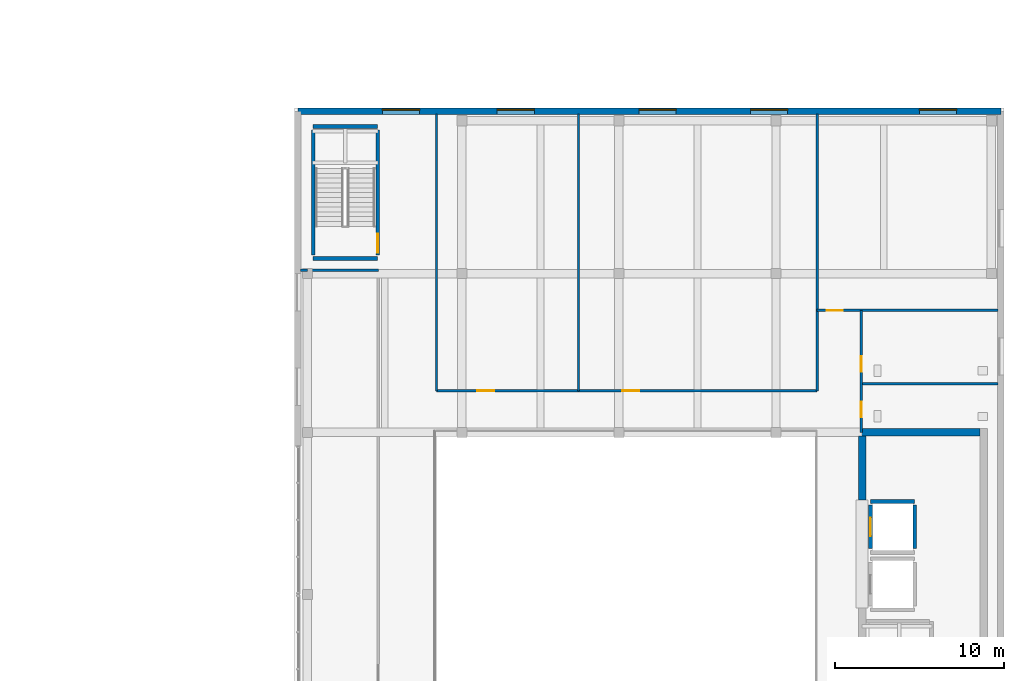
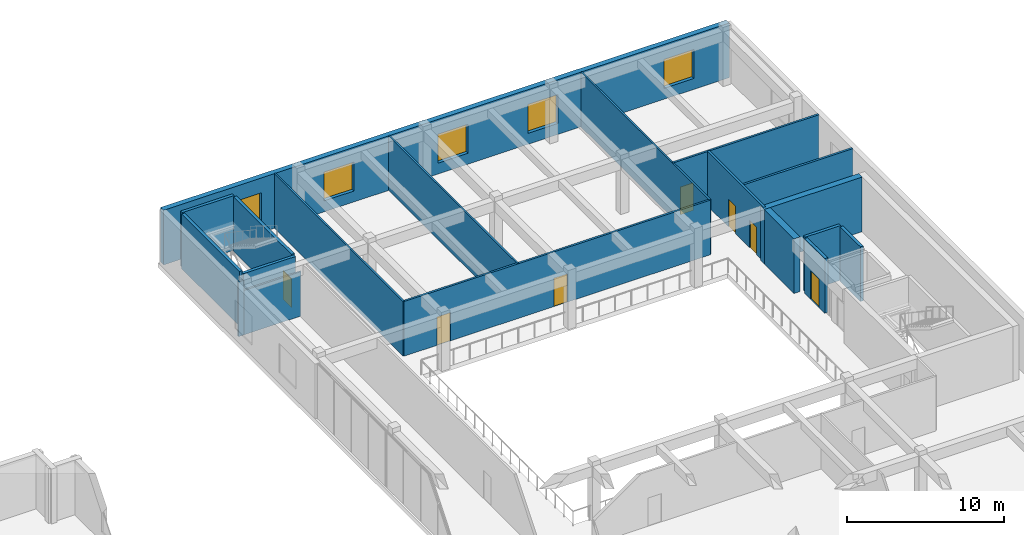
# One storey, part 11 of 24: 19 walls, 7 doors, 5 windows, 12 openings.
"""IFC4 building model written with IfcOpenShell, lengths in metres."""

from ifc_helpers import new_model, si_unit, direction, frame, frame_2d, origin, place, context, subcontext, project, spatial, rectangle, extrude, material, layer, layer_set, type_object, element, fill, save


model = new_model("IFC4")

# Units and contexts
model_context = context("Model", 3, precision=1e-05, world=origin(), true_north=direction((0.0, 1.0)))
body_context = subcontext(model_context, "Body", "Model", "MODEL_VIEW")
ifc_project = project(units=[si_unit("LENGTHUNIT", "METRE"), si_unit("AREAUNIT", "SQUARE_METRE"), si_unit("VOLUMEUNIT", "CUBIC_METRE"), si_unit("PLANEANGLEUNIT", "RADIAN"), si_unit("MASSUNIT", "GRAM", prefix="KILO")], contexts=[model_context])

# Site, building, storey
site_placement = place(None, origin())
site = spatial("IfcSite", under=ifc_project, at=site_placement, CompositionType="ELEMENT")
building_placement = place(site_placement, origin())
building = spatial("IfcBuilding", under=site, at=building_placement, Name="Norrvale University Quadrangle", CompositionType="ELEMENT")
storey_placement = place(building_placement, frame((0.0, 0.0, 10.39990234375)))
storey = spatial("IfcBuildingStorey", under=building, at=storey_placement, Name="L02", CompositionType="ELEMENT", Elevation=10.39990234375)

# Walls
ifc_material_1 = material(Name="Standard Academic Gypsum Partition")
ifc_layer_1 = layer(ifc_material_1, 0.125, Name="Standard Academic Gypsum Partition")
ifc_layer_set_1 = layer_set([ifc_layer_1], Name="Standard Academic Gypsum Partition")
wall_type_1 = type_object("IfcWallType", Name="Wall Gypsum Academic 125", PredefinedType="PARTITIONING", material=ifc_layer_set_1)
wall_1_placement = place(storey_placement, frame((85.550048828125, 48.0, 0.0), z_axis=(0.0, 0.0, 1.0), x_axis=(1.0, 0.0, 0.0)))
element("IfcWall", 1, at=wall_1_placement, inside=storey, type_object=wall_type_1, Name="Interior Partition WL-L02-LWN", PredefinedType="PARTITIONING", context=body_context, shape_type="SweptSolid", body=[
    extrude(rectangle(XDim=0.39990234375, YDim=0.125, at=frame_2d((0.199951171875, 0.0))), origin(), (0.0, 0.0, 1.0), 4.25),
])
wall_2_placement = place(storey_placement, frame((85.949951171875, 48.0, 0.0), z_axis=(0.0, 0.0, 1.0), x_axis=(1.0, 0.0, 0.0)))
element("IfcWall", 2, at=wall_2_placement, inside=storey, type_object=wall_type_1, Name="Interior Partition WL-L02-LWN-B2", PredefinedType="PARTITIONING", context=body_context, shape_type="SweptSolid", body=[
    extrude(rectangle(XDim=4.199951171875, YDim=0.125, at=frame_2d((2.10009765625, 0.0))), origin(), (0.0, 0.0, 1.0), 3.4501953125),
])
for number, where, z_axis, x_axis, name in (
    (3, (93.60009765625, 40.860107421875, 0.0), (0.0, 0.0, 1.0), (0.0, 1.0, 0.0), "Interior Partition WL-L02-LSN-W"),
    (4, (102.0, 40.860107421875, 0.0), (0.0, 0.0, 1.0), (0.0, 1.0, 0.0), "Interior Partition WL-L02-LSN-M"),
    (5, (116.139892578125, 40.860107421875, 0.0), (0.0, 0.0, 1.0), (0.0, 1.0, 0.0), "Interior Partition WL-L02-LSN-E"),
):
    element("IfcWall", number, at=place(storey_placement, frame(where, z_axis=z_axis, x_axis=x_axis)), inside=storey, type_object=wall_type_1, Name=name, PredefinedType="PARTITIONING", context=body_context, shape_type="SweptSolid", body=[
        extrude(rectangle(XDim=16.389892578125, YDim=0.125, at=frame_2d((8.19482421875, 0.0))), origin(), (0.0, 0.0, 1.0), 4.25),
    ])

# Wall, openings, doors
ifc_material_2 = material(Name="Fire-Rated Gypsum Stud Partition")
ifc_layer_2 = layer(ifc_material_2, 0.14990234375, Name="Fire-Rated Gypsum Stud Partition")
ifc_layer_set_2 = layer_set([ifc_layer_2], Name="Fire-Rated Gypsum Stud Partition")
wall_type_2 = type_object("IfcWallType", Name="Wall Gypsum Corridor 150", PredefinedType="PARTITIONING", material=ifc_layer_set_2)
wall_3_placement = place(storey_placement, frame((93.60009765625, 40.860107421875, 0.0), z_axis=(0.0, 0.0, 1.0), x_axis=(1.0, 0.0, 0.0)))
wall_3 = element("IfcWall", 6, at=wall_3_placement, inside=storey, type_object=wall_type_2, Name="Interior Partition WL-L02-LSN-S", PredefinedType="PARTITIONING", context=body_context, shape_type="SweptSolid", body=[
    extrude(rectangle(XDim=22.539794921875, YDim=0.14990234375, at=frame_2d((11.27001953125, 0.0))), origin(), (0.0, 0.0, 1.0), 4.25),
])
opening_1_placement = place(wall_3_placement, frame((2.39990234375, 0.0, 0.0)))
opening_1 = element("IfcOpeningElement", 7, at=opening_1_placement, cuts=wall_3, Name="Opening D04", PredefinedType="OPENING", context=body_context, shape_type="SweptSolid", body=[
    extrude(rectangle(XDim=1.0, YDim=2.199951171875, at=frame_2d((0.5, 1.10009765625))), frame((0.0, 0.0869140625, 0.0), z_axis=(0.0, -1.0, 0.0), x_axis=(1.0, 0.0, 0.0)), (0.0, 0.0, 1.0), 0.173828125),
])
opening_2_placement = place(wall_3_placement, frame((11.0, 0.0, 0.0)))
opening_2 = element("IfcOpeningElement", 8, at=opening_2_placement, cuts=wall_3, Name="Opening D04", PredefinedType="OPENING", context=body_context, shape_type="SweptSolid", body=[
    extrude(rectangle(XDim=1.0, YDim=2.199951171875, at=frame_2d((0.5, 1.10009765625))), frame((0.0, 0.0869140625, 0.0), z_axis=(0.0, -1.0, 0.0), x_axis=(1.0, 0.0, 0.0)), (0.0, 0.0, 1.0), 0.173828125),
])
ifc_material_3 = material(Name="Solid-Core Oak Fire Door", Category="wood")
door_type_1 = type_object("IfcDoorType", Name="Door Corridor 1000x2200", OperationType="NOTDEFINED", PredefinedType="DOOR", material=ifc_material_3)
door_1_placement = place(opening_1_placement, origin())
door_1 = element("IfcDoor", 9, at=door_1_placement, inside=storey, type_object=door_type_1, Name="Door Corridor 1000x2200 DR-L02-LN1", OperationType="SINGLE_SWING_LEFT", OverallHeight=2.199951171875, OverallWidth=1.0, PredefinedType="DOOR", context=body_context, shape_type="SweptSolid", body=[
    extrude(rectangle(XDim=1.0, YDim=2.199951171875, at=frame_2d((0.5, 1.10009765625))), frame((0.0, 0.02490234375, 0.0), z_axis=(0.0, -1.0, 0.0), x_axis=(1.0, 0.0, 0.0)), (0.0, 0.0, 1.0), 0.050048828125),
])
fill(opening_1, door_1)
door_2_placement = place(opening_2_placement, origin())
door_2 = element("IfcDoor", 10, at=door_2_placement, inside=storey, type_object=door_type_1, Name="Door Corridor 1000x2200 DR-L02-LN2", OperationType="SINGLE_SWING_RIGHT", OverallHeight=2.199951171875, OverallWidth=1.0, PredefinedType="DOOR", context=body_context, shape_type="SweptSolid", body=[
    extrude(rectangle(XDim=1.0, YDim=2.199951171875, at=frame_2d((0.5, 1.10009765625))), frame((0.0, 0.02490234375, 0.0), z_axis=(0.0, -1.0, 0.0), x_axis=(1.0, 0.0, 0.0)), (0.0, 0.0, 1.0), 0.050048828125),
])
fill(opening_2, door_2)

# Wall, opening, door
wall_4_placement = place(storey_placement, frame((116.139892578125, 45.6201171875, 0.0), z_axis=(0.0, 0.0, 1.0), x_axis=(1.0, 0.0, 0.0)))
wall_4 = element("IfcWall", 11, at=wall_4_placement, inside=storey, type_object=wall_type_2, Name="Interior Partition WL-L02-LNS-S", PredefinedType="PARTITIONING", context=body_context, shape_type="SweptSolid", body=[
    extrude(rectangle(XDim=10.710205078125, YDim=0.14990234375, at=frame_2d((5.35498046875, 0.0))), origin(), (0.0, 0.0, 1.0), 4.25),
])
opening_3_placement = place(wall_4_placement, frame((0.550048828125, 0.0, 0.0)))
opening_3 = element("IfcOpeningElement", 12, at=opening_3_placement, cuts=wall_4, Name="Opening D07", PredefinedType="OPENING", context=body_context, shape_type="SweptSolid", body=[
    extrude(rectangle(XDim=0.949951171875, YDim=2.14990234375, at=frame_2d((0.47509765625, 1.074951171875))), frame((0.0, 0.0869140625, 0.0), z_axis=(0.0, -1.0, 0.0), x_axis=(1.0, 0.0, 0.0)), (0.0, 0.0, 1.0), 0.173828125),
])
ifc_material_4 = material(Name="Solid-Core Maple Door", Category="wood")
door_type_2 = type_object("IfcDoorType", Name="Door Office 950x2150", OperationType="NOTDEFINED", PredefinedType="DOOR", material=ifc_material_4)
door_3_placement = place(opening_3_placement, origin())
door_3 = element("IfcDoor", 13, at=door_3_placement, inside=storey, type_object=door_type_2, Name="Door Office 950x2150 DR-L02-LNS", OperationType="SINGLE_SWING_LEFT", OverallHeight=2.14990234375, OverallWidth=0.949951171875, PredefinedType="DOOR", context=body_context, shape_type="SweptSolid", body=[
    extrude(rectangle(XDim=0.949951171875, YDim=2.14990234375, at=frame_2d((0.47509765625, 1.074951171875))), frame((0.0, 0.02490234375, 0.0), z_axis=(0.0, -1.0, 0.0), x_axis=(1.0, 0.0, 0.0)), (0.0, 0.0, 1.0), 0.050048828125),
])
fill(opening_3, door_3)

# Wall
ifc_material_5 = material(Name="Sanitary Chase Gypsum Partition")
ifc_layer_3 = layer(ifc_material_5, 0.1650390625, Name="Sanitary Chase Gypsum Partition")
ifc_layer_set_3 = layer_set([ifc_layer_3], Name="Sanitary Chase Gypsum Partition")
wall_type_3 = type_object("IfcWallType", Name="Wall Gypsum Sanitary 165", PredefinedType="PLUMBINGWALL", material=ifc_layer_set_3)
wall_5_placement = place(storey_placement, frame((118.75, 41.280029296875, 0.0), z_axis=(0.0, 0.0, 1.0), x_axis=(1.0, 0.0, 0.0)))
element("IfcWall", 14, at=wall_5_placement, inside=storey, type_object=wall_type_3, Name="Interior Partition WL-L02-LWC-M1", PredefinedType="PLUMBINGWALL", context=body_context, shape_type="SweptSolid", body=[
    extrude(rectangle(XDim=8.10009765625, YDim=0.1650390625, at=frame_2d((4.050048828125, 0.0))), origin(), (0.0, 0.0, 1.0), 4.25),
])

# Wall, openings, doors
wall_6_placement = place(storey_placement, frame((118.75, 38.39990234375, 0.0), z_axis=(0.0, 0.0, 1.0), x_axis=(0.0, 1.0, 0.0)))
wall_6 = element("IfcWall", 15, at=wall_6_placement, inside=storey, type_object=wall_type_3, Name="Interior Partition WL-L02-LWC-W", PredefinedType="PLUMBINGWALL", context=body_context, shape_type="SweptSolid", body=[
    extrude(rectangle(XDim=7.22021484375, YDim=0.1650390625, at=frame_2d((3.610107421875, 0.0))), origin(), (0.0, 0.0, 1.0), 4.25),
])
opening_4_placement = place(wall_6_placement, frame((0.89990234375, 0.0, 0.0)))
opening_4 = element("IfcOpeningElement", 16, at=opening_4_placement, cuts=wall_6, Name="Opening D08", PredefinedType="OPENING", context=body_context, shape_type="SweptSolid", body=[
    extrude(rectangle(XDim=0.919921875, YDim=2.14990234375, at=frame_2d((0.4599609375, 1.074951171875))), frame((0.0, 0.094482421875, 0.0), z_axis=(0.0, -1.0, 0.0), x_axis=(1.0, 0.0, 0.0)), (0.0, 0.0, 1.0), 0.18896484375),
])
opening_5_placement = place(wall_6_placement, frame((3.60009765625, 0.0, 0.0)))
opening_5 = element("IfcOpeningElement", 17, at=opening_5_placement, cuts=wall_6, Name="Opening D08", PredefinedType="OPENING", context=body_context, shape_type="SweptSolid", body=[
    extrude(rectangle(XDim=0.919921875, YDim=2.14990234375, at=frame_2d((0.4599609375, 1.074951171875))), frame((0.0, 0.094482421875, 0.0), z_axis=(0.0, -1.0, 0.0), x_axis=(1.0, 0.0, 0.0)), (0.0, 0.0, 1.0), 0.18896484375),
])
ifc_material_6 = material(Name="Laminate Washroom Door", Category="wood")
door_type_3 = type_object("IfcDoorType", Name="Door Washroom 920x2150", OperationType="NOTDEFINED", PredefinedType="DOOR", material=ifc_material_6)
door_4_placement = place(opening_4_placement, origin())
door_4 = element("IfcDoor", 18, at=door_4_placement, inside=storey, type_object=door_type_3, Name="Door Washroom 920x2150 DR-L02-LWC1", OperationType="SINGLE_SWING_LEFT", OverallHeight=2.14990234375, OverallWidth=0.919921875, PredefinedType="DOOR", context=body_context, shape_type="SweptSolid", body=[
    extrude(rectangle(XDim=0.919921875, YDim=2.14990234375, at=frame_2d((0.4599609375, 1.074951171875))), frame((0.0, 0.02490234375, 0.0), z_axis=(0.0, -1.0, 0.0), x_axis=(1.0, 0.0, 0.0)), (0.0, 0.0, 1.0), 0.050048828125),
])
fill(opening_4, door_4)
door_5_placement = place(opening_5_placement, origin())
door_5 = element("IfcDoor", 19, at=door_5_placement, inside=storey, type_object=door_type_3, Name="Door Washroom 920x2150 DR-L02-LWC2", OperationType="SINGLE_SWING_RIGHT", OverallHeight=2.14990234375, OverallWidth=0.919921875, PredefinedType="DOOR", context=body_context, shape_type="SweptSolid", body=[
    extrude(rectangle(XDim=0.919921875, YDim=2.14990234375, at=frame_2d((0.4599609375, 1.074951171875))), frame((0.0, 0.02490234375, 0.0), z_axis=(0.0, -1.0, 0.0), x_axis=(1.0, 0.0, 0.0)), (0.0, 0.0, 1.0), 0.050048828125),
])
fill(opening_5, door_5)

# Wall, openings, windows
ifc_material_7 = material(Name="Buff Norman Clay Brick Masonry", Category="masonry")
ifc_layer_4 = layer(ifc_material_7, 0.3798828125, Name="Buff Norman Clay Brick Masonry")
ifc_layer_set_4 = layer_set([ifc_layer_4], Name="Buff Norman Clay Brick Masonry")
wall_type_4 = type_object("IfcWallType", Name="Wall Lib Brick 380", PredefinedType="SOLIDWALL", material=ifc_layer_set_4)
wall_7_placement = place(storey_placement, frame((85.389892578125, 57.409912109375, 0.0), z_axis=(0.0, 0.0, 1.0), x_axis=(1.0, 0.0, 0.0)))
wall_7 = element("IfcWall", 20, at=wall_7_placement, inside=storey, type_object=wall_type_4, Name="Central Library North Brick Facade L02", PredefinedType="SOLIDWALL", context=body_context, shape_type="SweptSolid", body=[
    extrude(rectangle(XDim=41.6201171875, YDim=0.3798828125, at=frame_2d((20.81005859375, 0.0))), origin(), (0.0, 0.0, 1.0), 4.25),
])
opening_6_placement = place(wall_7_placement, frame((5.0, 0.0, 0.85009765625)))
opening_6 = element("IfcOpeningElement", 21, at=opening_6_placement, cuts=wall_7, Name="Opening W06", PredefinedType="OPENING", context=body_context, shape_type="SweptSolid", body=[
    extrude(rectangle(XDim=2.199951171875, YDim=2.25, at=frame_2d((1.10009765625, 1.125))), frame((0.0, 0.201904296875, 0.0), z_axis=(0.0, -1.0, 0.0), x_axis=(1.0, 0.0, 0.0)), (0.0, 0.0, 1.0), 0.40380859375),
])
opening_7_placement = place(wall_7_placement, frame((11.800048828125, 0.0, 0.85009765625)))
opening_7 = element("IfcOpeningElement", 22, at=opening_7_placement, cuts=wall_7, Name="Opening W06", PredefinedType="OPENING", context=body_context, shape_type="SweptSolid", body=[
    extrude(rectangle(XDim=2.199951171875, YDim=2.25, at=frame_2d((1.10009765625, 1.125))), frame((0.0, 0.201904296875, 0.0), z_axis=(0.0, -1.0, 0.0), x_axis=(1.0, 0.0, 0.0)), (0.0, 0.0, 1.0), 0.40380859375),
])
opening_8_placement = place(wall_7_placement, frame((20.199951171875, 0.0, 0.85009765625)))
opening_8 = element("IfcOpeningElement", 23, at=opening_8_placement, cuts=wall_7, Name="Opening W06", PredefinedType="OPENING", context=body_context, shape_type="SweptSolid", body=[
    extrude(rectangle(XDim=2.199951171875, YDim=2.25, at=frame_2d((1.10009765625, 1.125))), frame((0.0, 0.201904296875, 0.0), z_axis=(0.0, -1.0, 0.0), x_axis=(1.0, 0.0, 0.0)), (0.0, 0.0, 1.0), 0.40380859375),
])
opening_9_placement = place(wall_7_placement, frame((26.800048828125, 0.0, 0.85009765625)))
opening_9 = element("IfcOpeningElement", 24, at=opening_9_placement, cuts=wall_7, Name="Opening W06", PredefinedType="OPENING", context=body_context, shape_type="SweptSolid", body=[
    extrude(rectangle(XDim=2.199951171875, YDim=2.25, at=frame_2d((1.10009765625, 1.125))), frame((0.0, 0.201904296875, 0.0), z_axis=(0.0, -1.0, 0.0), x_axis=(1.0, 0.0, 0.0)), (0.0, 0.0, 1.0), 0.40380859375),
])
opening_10_placement = place(wall_7_placement, frame((36.800048828125, 0.0, 0.85009765625)))
opening_10 = element("IfcOpeningElement", 25, at=opening_10_placement, cuts=wall_7, Name="Opening W06", PredefinedType="OPENING", context=body_context, shape_type="SweptSolid", body=[
    extrude(rectangle(XDim=2.199951171875, YDim=2.25, at=frame_2d((1.10009765625, 1.125))), frame((0.0, 0.201904296875, 0.0), z_axis=(0.0, -1.0, 0.0), x_axis=(1.0, 0.0, 0.0)), (0.0, 0.0, 1.0), 0.40380859375),
])
ifc_material_8 = material(Name="Bird-Friendly Fritted Triple Glazing", Category="glass")
window_type = type_object("IfcWindowType", Name="Window Library 2200x2600", PartitioningType="DOUBLE_PANEL_VERTICAL", PredefinedType="WINDOW", material=ifc_material_8)
window_1_placement = place(opening_6_placement, origin())
window_1 = element("IfcWindow", 26, at=window_1_placement, inside=storey, type_object=window_type, Name="Window Library 2200x2600 WIN-L02-LN-01", OverallHeight=2.25, OverallWidth=2.199951171875, PartitioningType="DOUBLE_PANEL_VERTICAL", PredefinedType="WINDOW", context=body_context, shape_type="SweptSolid", body=[
    extrude(rectangle(XDim=2.199951171875, YDim=2.25, at=frame_2d((1.10009765625, 1.125))), frame((0.0, 0.110107421875, 0.0), z_axis=(0.0, -1.0, 0.0), x_axis=(1.0, 0.0, 0.0)), (0.0, 0.0, 1.0), 0.06005859375),
])
fill(opening_6, window_1)
window_2_placement = place(opening_7_placement, origin())
window_2 = element("IfcWindow", 27, at=window_2_placement, inside=storey, type_object=window_type, Name="Window Library 2200x2600 WIN-L02-LN-02", OverallHeight=2.25, OverallWidth=2.199951171875, PartitioningType="DOUBLE_PANEL_VERTICAL", PredefinedType="WINDOW", context=body_context, shape_type="SweptSolid", body=[
    extrude(rectangle(XDim=2.199951171875, YDim=2.25, at=frame_2d((1.10009765625, 1.125))), frame((0.0, 0.110107421875, 0.0), z_axis=(0.0, -1.0, 0.0), x_axis=(1.0, 0.0, 0.0)), (0.0, 0.0, 1.0), 0.06005859375),
])
fill(opening_7, window_2)
window_3_placement = place(opening_8_placement, origin())
window_3 = element("IfcWindow", 28, at=window_3_placement, inside=storey, type_object=window_type, Name="Window Library 2200x2600 WIN-L02-LN-03", OverallHeight=2.25, OverallWidth=2.199951171875, PartitioningType="DOUBLE_PANEL_VERTICAL", PredefinedType="WINDOW", context=body_context, shape_type="SweptSolid", body=[
    extrude(rectangle(XDim=2.199951171875, YDim=2.25, at=frame_2d((1.10009765625, 1.125))), frame((0.0, 0.110107421875, 0.0), z_axis=(0.0, -1.0, 0.0), x_axis=(1.0, 0.0, 0.0)), (0.0, 0.0, 1.0), 0.06005859375),
])
fill(opening_8, window_3)
window_4_placement = place(opening_9_placement, origin())
window_4 = element("IfcWindow", 29, at=window_4_placement, inside=storey, type_object=window_type, Name="Window Library 2200x2600 WIN-L02-LN-04", OverallHeight=2.25, OverallWidth=2.199951171875, PartitioningType="DOUBLE_PANEL_VERTICAL", PredefinedType="WINDOW", context=body_context, shape_type="SweptSolid", body=[
    extrude(rectangle(XDim=2.199951171875, YDim=2.25, at=frame_2d((1.10009765625, 1.125))), frame((0.0, 0.110107421875, 0.0), z_axis=(0.0, -1.0, 0.0), x_axis=(1.0, 0.0, 0.0)), (0.0, 0.0, 1.0), 0.06005859375),
])
fill(opening_9, window_4)
window_5_placement = place(opening_10_placement, origin())
window_5 = element("IfcWindow", 30, at=window_5_placement, inside=storey, type_object=window_type, Name="Window Library 2200x2600 WIN-L02-LN-05", OverallHeight=2.25, OverallWidth=2.199951171875, PartitioningType="DOUBLE_PANEL_VERTICAL", PredefinedType="WINDOW", context=body_context, shape_type="SweptSolid", body=[
    extrude(rectangle(XDim=2.199951171875, YDim=2.25, at=frame_2d((1.10009765625, 1.125))), frame((0.0, 0.110107421875, 0.0), z_axis=(0.0, -1.0, 0.0), x_axis=(1.0, 0.0, 0.0)), (0.0, 0.0, 1.0), 0.06005859375),
])
fill(opening_10, window_5)

# Walls
ifc_material_9 = material(Name="Concrete C60/75", Category="concrete")
ifc_layer_5 = layer(ifc_material_9, 0.449951171875, Name="Concrete C60/75")
ifc_layer_set_5 = layer_set([ifc_layer_5], Name="Concrete C60/75")
wall_type_5 = type_object("IfcWallType", Name="Wall Lib Core 450", PredefinedType="SHEAR", material=ifc_layer_set_5)
wall_8_placement = place(storey_placement, frame((118.574951171875, 38.39990234375, 0.0), z_axis=(0.0, 0.0, 1.0), x_axis=(1.0, 0.0, 0.0)))
element("IfcWall", 31, at=wall_8_placement, inside=storey, type_object=wall_type_5, Name="Library Core Shear Wall L02-N", PredefinedType="SHEAR", context=body_context, shape_type="SweptSolid", body=[
    extrude(rectangle(XDim=7.199951171875, YDim=0.449951171875, at=frame_2d((3.60009765625, 0.0))), origin(), (0.0, 0.0, 1.0), 4.25),
])
wall_9_placement = place(storey_placement, frame((118.800048828125, 34.39990234375, 0.0), z_axis=(0.0, 0.0, 1.0), x_axis=(0.0, 1.0, 0.0)))
element("IfcWall", 32, at=wall_9_placement, inside=storey, type_object=wall_type_5, Name="Library Core Shear Wall L02-W2", PredefinedType="SHEAR", context=body_context, shape_type="SweptSolid", body=[
    extrude(rectangle(XDim=3.775146484375, YDim=0.449951171875, at=frame_2d((1.8876953125, 0.0))), origin(), (0.0, 0.0, 1.0), 4.25),
])
ifc_material_10 = material(Name="Concrete Blockwork 20 MPa Fire Shaft", Category="masonry")
ifc_layer_6 = layer(ifc_material_10, 0.219970703125, Name="Concrete Blockwork 20 MPa Fire Shaft")
ifc_layer_set_6 = layer_set([ifc_layer_6], Name="Concrete Blockwork 20 MPa Fire Shaft")
wall_type_6 = type_object("IfcWallType", Name="Wall Shaft 220", PredefinedType="SOLIDWALL", material=ifc_layer_set_6)
wall_10_placement = place(storey_placement, frame((86.2900390625, 48.909912109375, 0.0), z_axis=(0.0, 0.0, 1.0), x_axis=(0.0, 1.0, 0.0)))
element("IfcWall", 33, at=wall_10_placement, inside=storey, type_object=wall_type_6, Name="Library Stair ST-L3 West Wall L02", PredefinedType="SOLIDWALL", context=body_context, shape_type="SweptSolid", body=[
    extrude(rectangle(XDim=7.380126953125, YDim=0.219970703125, at=frame_2d((3.68994140625, 0.0))), origin(), (0.0, 0.0, 1.0), 4.25),
])
for number, where, z_axis, x_axis, name in (
    (34, (86.2900390625, 48.68994140625, 0.0), (0.0, 0.0, 1.0), (1.0, 0.0, 0.0), "Library Stair ST-L3 South Wall L02"),
    (35, (86.2900390625, 56.510009765625, 0.0), (0.0, 0.0, 1.0), (1.0, 0.0, 0.0), "Library Stair ST-L3 North Wall L02"),
):
    element("IfcWall", number, at=place(storey_placement, frame(where, z_axis=z_axis, x_axis=x_axis)), inside=storey, type_object=wall_type_6, Name=name, PredefinedType="SOLIDWALL", context=body_context, shape_type="SweptSolid", body=[
        extrude(rectangle(XDim=3.820068359375, YDim=0.219970703125, at=frame_2d((1.91015625, 0.0))), origin(), (0.0, 0.0, 1.0), 4.25),
    ])

# Wall, opening, door
wall_11_placement = place(storey_placement, frame((90.110107421875, 48.909912109375, 0.0), z_axis=(0.0, 0.0, 1.0), x_axis=(0.0, 1.0, 0.0)))
wall_11 = element("IfcWall", 36, at=wall_11_placement, inside=storey, type_object=wall_type_6, Name="Library Stair ST-L3 East Wall L02", PredefinedType="SOLIDWALL", context=body_context, shape_type="SweptSolid", body=[
    extrude(rectangle(XDim=7.380126953125, YDim=0.219970703125, at=frame_2d((3.68994140625, 0.0))), origin(), (0.0, 0.0, 1.0), 4.25),
])
opening_11_placement = place(wall_11_placement, frame((0.139892578125, 0.0, 0.0)))
opening_11 = element("IfcOpeningElement", 37, at=opening_11_placement, cuts=wall_11, Name="Opening D02", PredefinedType="OPENING", context=body_context, shape_type="SweptSolid", body=[
    extrude(rectangle(XDim=1.10009765625, YDim=2.199951171875, at=frame_2d((0.550048828125, 1.10009765625))), frame((0.0, 0.1220703125, 0.0), z_axis=(0.0, -1.0, 0.0), x_axis=(1.0, 0.0, 0.0)), (0.0, 0.0, 1.0), 0.243896484375),
])
ifc_material_11 = material(Name="Hollow Steel 350W Fire Door", Category="steel")
door_type_4 = type_object("IfcDoorType", Name="Door Stair Exit 1100x2200", OperationType="NOTDEFINED", PredefinedType="DOOR", material=ifc_material_11)
door_6_placement = place(opening_11_placement, origin())
door_6 = element("IfcDoor", 38, at=door_6_placement, inside=storey, type_object=door_type_4, Name="Door Stair Exit 1100x2200 DR-L02-ST-L3", OperationType="SINGLE_SWING_RIGHT", OverallHeight=2.199951171875, OverallWidth=1.10009765625, PredefinedType="DOOR", context=body_context, shape_type="SweptSolid", body=[
    extrude(rectangle(XDim=1.10009765625, YDim=2.199951171875, at=frame_2d((0.550048828125, 1.10009765625))), frame((0.0, 0.02490234375, 0.0), z_axis=(0.0, -1.0, 0.0), x_axis=(1.0, 0.0, 0.0)), (0.0, 0.0, 1.0), 0.050048828125),
])
fill(opening_11, door_6)

wall_12_placement = place(storey_placement, frame((119.2900390625, 31.510009765625, 0.0), z_axis=(0.0, 0.0, 1.0), x_axis=(0.0, 1.0, 0.0)))
wall_12 = element("IfcWall", 39, at=wall_12_placement, inside=storey, type_object=wall_type_6, Name="Hoistway LL-02 West Wall L02", PredefinedType="SOLIDWALL", context=body_context, shape_type="SweptSolid", body=[
    extrude(rectangle(XDim=2.580078125, YDim=0.219970703125, at=frame_2d((1.2900390625, 0.0))), origin(), (0.0, 0.0, 1.0), 4.25),
])
opening_12_placement = place(wall_12_placement, frame((0.739990234375, 0.0, 0.0)))
opening_12 = element("IfcOpeningElement", 40, at=opening_12_placement, cuts=wall_12, Name="Opening LD1", PredefinedType="OPENING", context=body_context, shape_type="SweptSolid", body=[
    extrude(rectangle(XDim=1.10009765625, YDim=2.199951171875, at=frame_2d((0.550048828125, 1.10009765625))), frame((0.0, 0.1220703125, 0.0), z_axis=(0.0, -1.0, 0.0), x_axis=(1.0, 0.0, 0.0)), (0.0, 0.0, 1.0), 0.243896484375),
])
ifc_material_12 = material(Name="Stainless Steel 316L Lift Landing Door", Category="steel")
door_type_5 = type_object("IfcDoorType", Name="Door Lift Landing 1100x2200", OperationType="DOUBLE_DOOR_SLIDING", PredefinedType="DOOR", material=ifc_material_12)
door_7_placement = place(opening_12_placement, origin())
door_7 = element("IfcDoor", 41, at=door_7_placement, inside=storey, type_object=door_type_5, Name="Elevator Landing Door DR-L02-LL-02", OperationType="DOUBLE_DOOR_SLIDING", OverallHeight=2.199951171875, OverallWidth=1.10009765625, PredefinedType="DOOR", context=body_context, shape_type="SweptSolid", body=[
    extrude(rectangle(XDim=1.10009765625, YDim=2.199951171875, at=frame_2d((0.550048828125, 1.10009765625))), frame((0.0, 0.02490234375, 0.0), z_axis=(0.0, -1.0, 0.0), x_axis=(1.0, 0.0, 0.0)), (0.0, 0.0, 1.0), 0.050048828125),
])
fill(opening_12, door_7)

# Walls
wall_13_placement = place(storey_placement, frame((121.909912109375, 31.510009765625, 0.0), z_axis=(0.0, 0.0, 1.0), x_axis=(0.0, 1.0, 0.0)))
element("IfcWall", 42, at=wall_13_placement, inside=storey, type_object=wall_type_6, Name="Hoistway LL-02 East Wall L02", PredefinedType="SOLIDWALL", context=body_context, shape_type="SweptSolid", body=[
    extrude(rectangle(XDim=2.580078125, YDim=0.219970703125, at=frame_2d((1.2900390625, 0.0))), origin(), (0.0, 0.0, 1.0), 4.25),
])
wall_14_placement = place(storey_placement, frame((119.2900390625, 34.31005859375, 0.0), z_axis=(0.0, 0.0, 1.0), x_axis=(1.0, 0.0, 0.0)))
element("IfcWall", 43, at=wall_14_placement, inside=storey, type_object=wall_type_6, Name="Hoistway LL-02 North Wall L02", PredefinedType="SOLIDWALL", context=body_context, shape_type="SweptSolid", body=[
    extrude(rectangle(XDim=2.619873046875, YDim=0.219970703125, at=frame_2d((1.31005859375, 0.0))), origin(), (0.0, 0.0, 1.0), 4.25),
])

save(model, "model.ifc")
